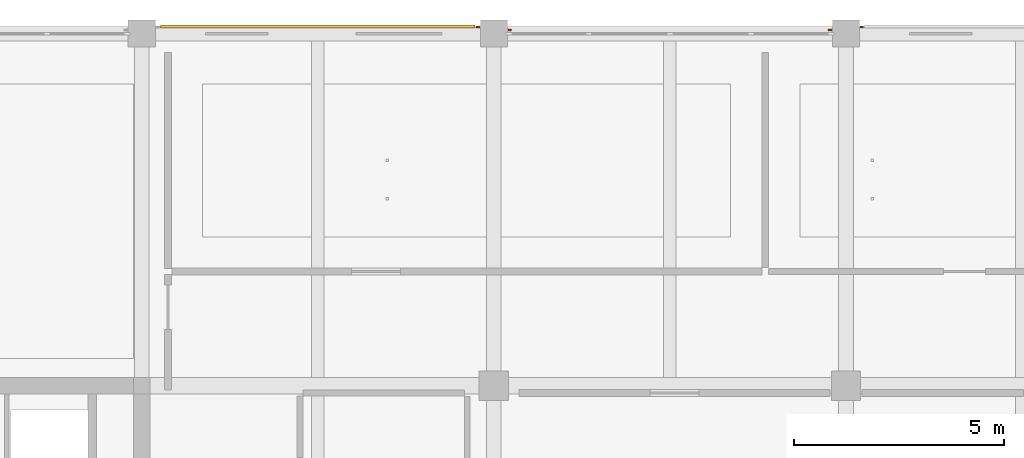
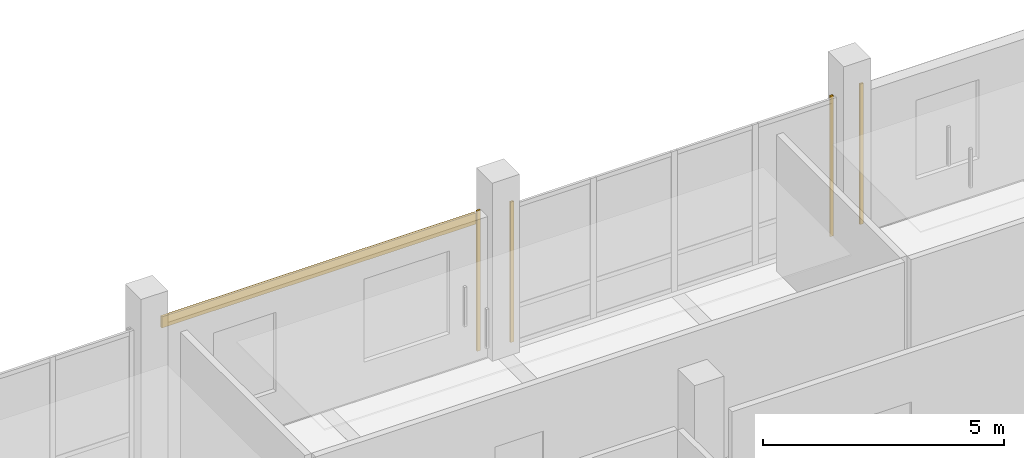
# One storey, part 27 of 28: 5 coverings.
"""IFC4 building model written with IfcOpenShell, lengths in metres."""

import ifcopenshell
import ifcopenshell.guid

model = None  # the IFC model being written
_history = None  # IfcOwnerHistory: only IFC2X3 demands one
_inside = {}  # id of a spatial element -> (the spatial element, [elements in it])
_under = {}  # id of a project, library or spatial element -> (it, [spatial elements below it])
_declared = {}  # id of a project -> (the project, [libraries it declares])
_typed = {}  # id of a type object -> (the type object, [elements of that type])
_made_of = {}  # id of a material, layer set ... -> (it, [elements and type objects made of it])


def new_model(schema):
    """Start an empty IFC model of exactly this schema.

    Asked for "IFC4X3", IfcOpenShell would pick the latest addendum, in which some entities
    have other attributes; the version numbers below select the first issue.
    IFC2X3 requires an IfcOwnerHistory on every rooted entity: one is made here for all.
    """
    global model, _history
    if schema == "IFC4X3":
        model = ifcopenshell.file(schema_version=(4, 3, 0, 0))
    else:
        model = ifcopenshell.file(schema=schema)
    _inside.clear()
    _under.clear()
    _declared.clear()
    _typed.clear()
    _made_of.clear()
    _history = None
    if model.schema == "IFC2X3":
        org = make("IfcOrganization", Name="unknown")
        user = make(
            "IfcPersonAndOrganization",
            ThePerson=make("IfcPerson", FamilyName="unknown"),
            TheOrganization=org,
        )
        app = make(
            "IfcApplication",
            ApplicationDeveloper=org,
            Version="unknown",
            ApplicationFullName="unknown",
            ApplicationIdentifier="unknown",
        )
        _history = make(
            "IfcOwnerHistory",
            OwningUser=user,
            OwningApplication=app,
            ChangeAction="ADDED",
            CreationDate=0,
        )
    return model


def make(cls, **values):
    """One entity of the class cls with the attributes given. An attribute that is None is left unset."""
    return model.create_entity(
        cls, **{name: value for name, value in values.items() if value is not None}
    )


def rooted(cls, **values):
    """An entity with a GlobalId (a new one), such as an element, a storey or a relation."""
    return make(cls, GlobalId=ifcopenshell.guid.new(), OwnerHistory=_history, **values)


def si_unit(unit_type, name, prefix=None):
    """IfcSIUnit, for example si_unit("LENGTHUNIT", "METRE", prefix="MILLI")."""
    return make("IfcSIUnit", UnitType=unit_type, Prefix=prefix, Name=name)


def assignment(units):
    """IfcUnitAssignment: the units of a project."""
    return None if units is None else make("IfcUnitAssignment", Units=units)


def point(xyz):
    """IfcCartesianPoint."""
    return None if xyz is None else make("IfcCartesianPoint", Coordinates=xyz)


def direction(xyz):
    """IfcDirection."""
    return None if xyz is None else make("IfcDirection", DirectionRatios=xyz)


def frame(location, z_axis=None, x_axis=None):
    """IfcAxis2Placement3D, a coordinate frame: its origin and axes. An axis left out is left unset."""
    return make(
        "IfcAxis2Placement3D",
        Location=point(location),
        Axis=direction(z_axis),
        RefDirection=direction(x_axis),
    )


def frame_2d(location, x_axis=None):
    """IfcAxis2Placement2D, a coordinate frame in the plane: its origin and x axis."""
    return make(
        "IfcAxis2Placement2D", Location=point(location), RefDirection=direction(x_axis)
    )


def origin():
    """The frame at (0, 0, 0) with its axes left unset."""
    return frame((0.0, 0.0, 0.0))


def origin_2d():
    """The frame at (0, 0) in the plane with its x axis left unset."""
    return frame_2d((0.0, 0.0))


def place(relative_to, where):
    """IfcLocalPlacement: puts the frame where relative to a parent placement (None: the world)."""
    return make(
        "IfcLocalPlacement", PlacementRelTo=relative_to, RelativePlacement=where
    )


def context(
    kind, dimensions, precision=None, world=None, true_north=None, identifier=None
):
    """IfcGeometricRepresentationContext, for example the 3D "Model" context."""
    return make(
        "IfcGeometricRepresentationContext",
        ContextIdentifier=identifier,
        ContextType=kind,
        CoordinateSpaceDimension=dimensions,
        Precision=precision,
        WorldCoordinateSystem=world,
        TrueNorth=true_north,
    )


def subcontext(parent, identifier, kind, view, scale=None):
    """IfcGeometricRepresentationSubContext, for example "Body" below "Model"."""
    return make(
        "IfcGeometricRepresentationSubContext",
        ContextIdentifier=identifier,
        ContextType=kind,
        ParentContext=parent,
        TargetScale=scale,
        TargetView=view,
    )


def project(units=None, contexts=None):
    """IfcProject with its units and contexts."""
    return rooted(
        "IfcProject",
        Name="project",
        RepresentationContexts=contexts,
        UnitsInContext=assignment(units),
    )


def spatial(cls, under=None, at=None, **own):
    """A site, building, storey or space (cls), placed at a placement, below another one or the project."""
    s = rooted(cls, ObjectPlacement=at, **own)
    if under is not None:
        _under.setdefault(under.id(), (under, []))[1].append(s)
    return s


def profile(cls, at=None, kind="AREA", **sizes):
    """A parametric profile (cls). Its sizes go by their IFC names, for example OverallWidth=200.0."""
    return make(cls, ProfileType=kind, Position=at, **sizes)


def rectangle(**sizes):
    """IfcRectangleProfileDef."""
    return profile("IfcRectangleProfileDef", **sizes)


def extrude(swept, where, along, depth):
    """IfcExtrudedAreaSolid: the profile swept, set in the frame where, extruded along a direction by depth."""
    return make(
        "IfcExtrudedAreaSolid",
        SweptArea=swept,
        Position=where,
        ExtrudedDirection=direction(along),
        Depth=depth,
    )


def shape(context_of_items, identifier, shape_type, items):
    """IfcShapeRepresentation: the items that make up one representation, for example the "Body"."""
    return make(
        "IfcShapeRepresentation",
        ContextOfItems=context_of_items,
        RepresentationIdentifier=identifier,
        RepresentationType=shape_type,
        Items=items,
    )


def material(Name=None, Category=None):
    """IfcMaterial."""
    return make("IfcMaterial", Name=Name, Category=Category)


def layer(
    of_material, thickness, ventilated=None, Name=None, Category=None, Priority=None
):
    """IfcMaterialLayer: one layer of a wall or slab, of a material (None: an air gap)."""
    return make(
        "IfcMaterialLayer",
        Material=of_material,
        LayerThickness=thickness,
        IsVentilated=ventilated,
        Name=Name,
        Category=Category,
        Priority=Priority,
    )


def layer_set(layers, Name=None):
    """IfcMaterialLayerSet."""
    return make("IfcMaterialLayerSet", MaterialLayers=layers, LayerSetName=Name)


def made_of(thing, what):
    """Note that an element or type object is made of a material, layer set ...; save() writes the relation."""
    if what is not None:
        _made_of.setdefault(what.id(), (what, []))[1].append(thing)
    return thing


def type_object(cls, material=None, **own):
    """A type object (cls), such as IfcWallType, which elements share."""
    return made_of(rooted(cls, **own), material)


def element(
    cls,
    number,
    at=None,
    inside=None,
    cuts=None,
    type_object=None,
    material=None,
    context=None,
    identifier="Body",
    shape_type=None,
    held_by="IfcProductDefinitionShape",
    body=None,
    shapes=None,
    **own,
):
    """One element of the class cls, such as IfcWall. Its Tag is "e" and its number.

    at: its placement. inside: the storey or other place that contains it. cuts: it is an
    opening in that element (IfcRelVoidsElement). A single representation is given by context,
    identifier, shape_type and body (its items); several are given by shapes. held_by: the class
    of the entity that holds the representations. save() writes the other relations.
    """
    e = rooted(cls, Tag="e%d" % number, ObjectPlacement=at, **own)
    if body is not None:
        shapes = [shape(context, identifier, shape_type, body)]
    if shapes is not None:
        e.Representation = make(held_by, Representations=shapes)
    if inside is not None:
        _inside.setdefault(inside.id(), (inside, []))[1].append(e)
    if cuts is not None:
        rooted(
            "IfcRelVoidsElement", RelatingBuildingElement=cuts, RelatedOpeningElement=e
        )
    if type_object is not None:
        _typed.setdefault(type_object.id(), (type_object, []))[1].append(e)
    return made_of(e, material)


def aggregate(whole, parts):
    """IfcRelAggregates: a whole, such as a stair, and the parts it consists of."""
    return rooted("IfcRelAggregates", RelatingObject=whole, RelatedObjects=parts)


def save(model, path):
    """Write the relations noted so far, then the file.

    IfcRelAggregates (storeys below a building ...), IfcRelContainedInSpatialStructure (elements
    in a storey), IfcRelDefinesByType, IfcRelAssociatesMaterial and IfcRelDeclares: one each for
    every whole, place, type object, material and project.
    """
    for whole, parts in _under.values():
        aggregate(whole, parts)
    for where, things in _inside.values():
        rooted(
            "IfcRelContainedInSpatialStructure",
            RelatedElements=things,
            RelatingStructure=where,
        )
    for kind, things in _typed.values():
        rooted("IfcRelDefinesByType", RelatedObjects=things, RelatingType=kind)
    for what, things in _made_of.values():
        rooted("IfcRelAssociatesMaterial", RelatedObjects=things, RelatingMaterial=what)
    for by, libraries in _declared.values():
        rooted("IfcRelDeclares", RelatingContext=by, RelatedDefinitions=libraries)
    model.write(path)


model = new_model("IFC4")

# Units and contexts
model_context = context("Model", 3, precision=1e-05, world=origin(), true_north=direction((0.0, 1.0)))
body_context = subcontext(model_context, "Body", "Model", "MODEL_VIEW")
ifc_project = project(units=[si_unit("LENGTHUNIT", "METRE"), si_unit("AREAUNIT", "SQUARE_METRE"), si_unit("VOLUMEUNIT", "CUBIC_METRE"), si_unit("PLANEANGLEUNIT", "RADIAN"), si_unit("MASSUNIT", "GRAM", prefix="KILO")], contexts=[model_context])

# Site, building, storey
site_placement = place(None, origin())
site = spatial("IfcSite", under=ifc_project, at=site_placement, CompositionType="ELEMENT")
building_placement = place(site_placement, origin())
building = spatial("IfcBuilding", under=site, at=building_placement, Name="Telukmera Botanical Conservatory", CompositionType="ELEMENT")
storey_placement = place(building_placement, frame((0.0, 0.0, 51.0)))
storey = spatial("IfcBuildingStorey", under=building, at=storey_placement, Name="L11", CompositionType="ELEMENT", Elevation=51.0)

# Coverings
ifc_material_1 = material(Name="Granite-faced precast concrete C40/50", Category="masonry")
ifc_layer_1 = layer(ifc_material_1, 0.0400390625)
ifc_layer_set_1 = layer_set([ifc_layer_1], Name="Granite-faced precast concrete C40/50")
covering_type_1 = type_object("IfcCoveringType", Name="Granite Precast Column Pier Reveal Casing", PredefinedType="CLADDING", material=ifc_layer_set_1)
for number, where, z_axis, x_axis, name in (
    (1, (75.222900390625, 42.9599609375, 0.0), (0.0, 0.0, 1.0), (1.0, 0.0, 0.0), "Granite Pier Reveal V4:L11:N2 R"),
    (2, (75.97705078125, 42.889892578125, 0.0), (0.0, 0.0, 1.0), (1.0, 0.0, 0.0), "Granite Pier Reveal V4:L11:N3 L"),
    (3, (83.623046875, 42.889892578125, 0.0), (0.0, 0.0, 1.0), (1.0, 0.0, 0.0), "Granite Pier Reveal V4:L11:N3 R"),
    (4, (84.376953125, 42.9599609375, 0.0), (0.0, 0.0, 1.0), (1.0, 0.0, 0.0), "Granite Pier Reveal V4:L11:N4 L"),
):
    element("IfcCovering", number, at=place(storey_placement, frame(where, z_axis=z_axis, x_axis=x_axis)), inside=storey, type_object=covering_type_1, Name=name, PredefinedType="CLADDING", context=body_context, shape_type="SweptSolid", body=[
        extrude(rectangle(XDim=0.080078125, YDim=0.0400390625, at=origin_2d()), origin(), (0.0, 0.0, 1.0), 3.550048828125),
    ])
ifc_material_2 = material(Name="Terracotta-faced precast concrete C40/50", Category="masonry")
ifc_layer_2 = layer(ifc_material_2, 0.06005859375)
ifc_layer_set_2 = layer_set([ifc_layer_2], Name="Terracotta-faced precast concrete C40/50")
covering_type_2 = type_object("IfcCoveringType", Name="Polychrome Terracotta Facade Band Cladding", PredefinedType="CLADDING", material=ifc_layer_set_2)
covering_placement = place(storey_placement, frame((71.39990234375, 42.969970703125, 3.22998046875), z_axis=(0.0, 0.0, 1.0), x_axis=(1.0, 0.0, 0.0)))
element("IfcCovering", 5, at=covering_placement, inside=storey, type_object=covering_type_2, Name="Polychrome Terracotta Band V4:L11:N2", PredefinedType="CLADDING", context=body_context, shape_type="SweptSolid", body=[
    extrude(rectangle(XDim=7.506103515625, YDim=0.06005859375, at=origin_2d()), origin(), (0.0, 0.0, 1.0), 0.280029296875),
])

save(model, "model.ifc")
